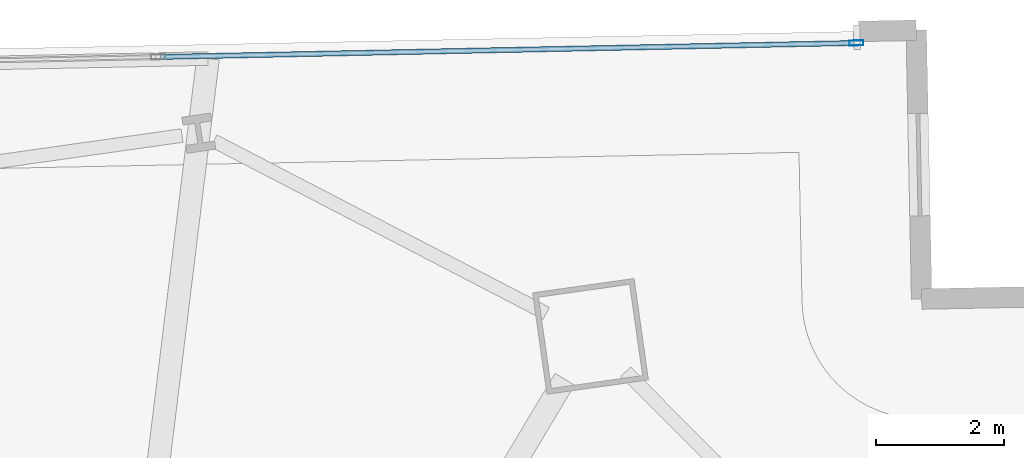
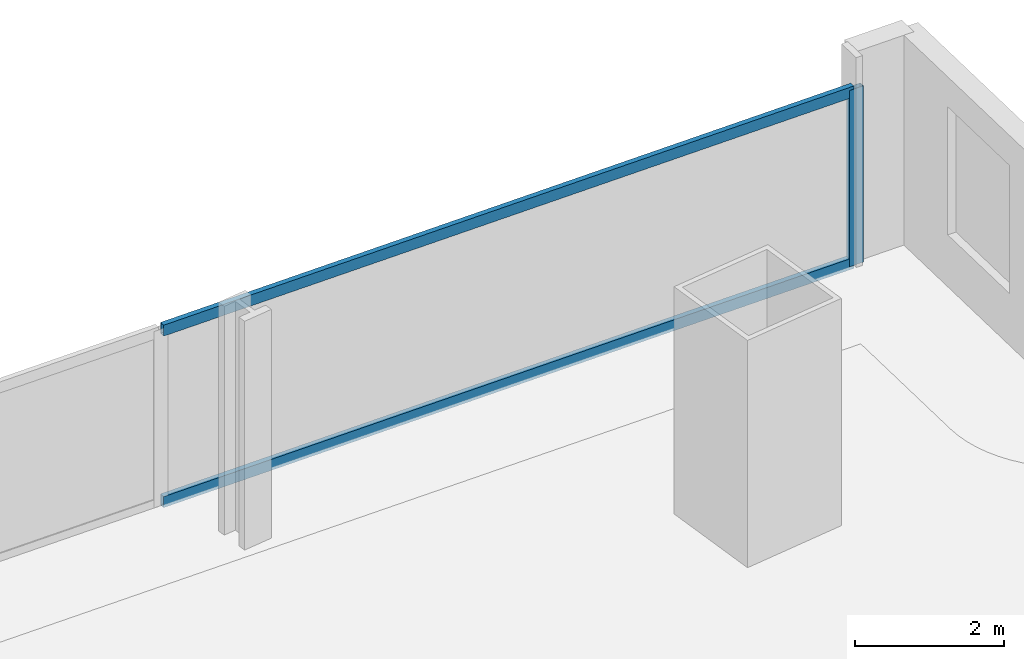
# One storey, part 25 of 35: 3 members, 1 element without a shape of its own.
"""IFC4 building model written with IfcOpenShell, lengths in metres."""

import ifcopenshell
import ifcopenshell.guid

model = None  # the IFC model being written
_history = None  # IfcOwnerHistory: only IFC2X3 demands one
_inside = {}  # id of a spatial element -> (the spatial element, [elements in it])
_under = {}  # id of a project, library or spatial element -> (it, [spatial elements below it])
_declared = {}  # id of a project -> (the project, [libraries it declares])
_typed = {}  # id of a type object -> (the type object, [elements of that type])
_made_of = {}  # id of a material, layer set ... -> (it, [elements and type objects made of it])


def new_model(schema):
    """Start an empty IFC model of exactly this schema.

    Asked for "IFC4X3", IfcOpenShell would pick the latest addendum, in which some entities
    have other attributes; the version numbers below select the first issue.
    IFC2X3 requires an IfcOwnerHistory on every rooted entity: one is made here for all.
    """
    global model, _history
    if schema == "IFC4X3":
        model = ifcopenshell.file(schema_version=(4, 3, 0, 0))
    else:
        model = ifcopenshell.file(schema=schema)
    _inside.clear()
    _under.clear()
    _declared.clear()
    _typed.clear()
    _made_of.clear()
    _history = None
    if model.schema == "IFC2X3":
        org = make("IfcOrganization", Name="unknown")
        user = make(
            "IfcPersonAndOrganization",
            ThePerson=make("IfcPerson", FamilyName="unknown"),
            TheOrganization=org,
        )
        app = make(
            "IfcApplication",
            ApplicationDeveloper=org,
            Version="unknown",
            ApplicationFullName="unknown",
            ApplicationIdentifier="unknown",
        )
        _history = make(
            "IfcOwnerHistory",
            OwningUser=user,
            OwningApplication=app,
            ChangeAction="ADDED",
            CreationDate=0,
        )
    return model


def make(cls, **values):
    """One entity of the class cls with the attributes given. An attribute that is None is left unset."""
    return model.create_entity(
        cls, **{name: value for name, value in values.items() if value is not None}
    )


def rooted(cls, **values):
    """An entity with a GlobalId (a new one), such as an element, a storey or a relation."""
    return make(cls, GlobalId=ifcopenshell.guid.new(), OwnerHistory=_history, **values)


def si_unit(unit_type, name, prefix=None):
    """IfcSIUnit, for example si_unit("LENGTHUNIT", "METRE", prefix="MILLI")."""
    return make("IfcSIUnit", UnitType=unit_type, Prefix=prefix, Name=name)


def assignment(units):
    """IfcUnitAssignment: the units of a project."""
    return None if units is None else make("IfcUnitAssignment", Units=units)


def point(xyz):
    """IfcCartesianPoint."""
    return None if xyz is None else make("IfcCartesianPoint", Coordinates=xyz)


def direction(xyz):
    """IfcDirection."""
    return None if xyz is None else make("IfcDirection", DirectionRatios=xyz)


def frame(location, z_axis=None, x_axis=None):
    """IfcAxis2Placement3D, a coordinate frame: its origin and axes. An axis left out is left unset."""
    return make(
        "IfcAxis2Placement3D",
        Location=point(location),
        Axis=direction(z_axis),
        RefDirection=direction(x_axis),
    )


def frame_2d(location, x_axis=None):
    """IfcAxis2Placement2D, a coordinate frame in the plane: its origin and x axis."""
    return make(
        "IfcAxis2Placement2D", Location=point(location), RefDirection=direction(x_axis)
    )


def origin():
    """The frame at (0, 0, 0) with its axes left unset."""
    return frame((0.0, 0.0, 0.0))


def origin_2d():
    """The frame at (0, 0) in the plane with its x axis left unset."""
    return frame_2d((0.0, 0.0))


def place(relative_to, where):
    """IfcLocalPlacement: puts the frame where relative to a parent placement (None: the world)."""
    return make(
        "IfcLocalPlacement", PlacementRelTo=relative_to, RelativePlacement=where
    )


def context(
    kind, dimensions, precision=None, world=None, true_north=None, identifier=None
):
    """IfcGeometricRepresentationContext, for example the 3D "Model" context."""
    return make(
        "IfcGeometricRepresentationContext",
        ContextIdentifier=identifier,
        ContextType=kind,
        CoordinateSpaceDimension=dimensions,
        Precision=precision,
        WorldCoordinateSystem=world,
        TrueNorth=true_north,
    )


def subcontext(parent, identifier, kind, view, scale=None):
    """IfcGeometricRepresentationSubContext, for example "Body" below "Model"."""
    return make(
        "IfcGeometricRepresentationSubContext",
        ContextIdentifier=identifier,
        ContextType=kind,
        ParentContext=parent,
        TargetScale=scale,
        TargetView=view,
    )


def project(units=None, contexts=None):
    """IfcProject with its units and contexts."""
    return rooted(
        "IfcProject",
        Name="project",
        RepresentationContexts=contexts,
        UnitsInContext=assignment(units),
    )


def spatial(cls, under=None, at=None, **own):
    """A site, building, storey or space (cls), placed at a placement, below another one or the project."""
    s = rooted(cls, ObjectPlacement=at, **own)
    if under is not None:
        _under.setdefault(under.id(), (under, []))[1].append(s)
    return s


def profile(cls, at=None, kind="AREA", **sizes):
    """A parametric profile (cls). Its sizes go by their IFC names, for example OverallWidth=200.0."""
    return make(cls, ProfileType=kind, Position=at, **sizes)


def hollow_rectangle(**sizes):
    """IfcRectangleHollowProfileDef."""
    return profile("IfcRectangleHollowProfileDef", **sizes)


def extrude(swept, where, along, depth):
    """IfcExtrudedAreaSolid: the profile swept, set in the frame where, extruded along a direction by depth."""
    return make(
        "IfcExtrudedAreaSolid",
        SweptArea=swept,
        Position=where,
        ExtrudedDirection=direction(along),
        Depth=depth,
    )


def shape(context_of_items, identifier, shape_type, items):
    """IfcShapeRepresentation: the items that make up one representation, for example the "Body"."""
    return make(
        "IfcShapeRepresentation",
        ContextOfItems=context_of_items,
        RepresentationIdentifier=identifier,
        RepresentationType=shape_type,
        Items=items,
    )


def material(Name=None, Category=None):
    """IfcMaterial."""
    return make("IfcMaterial", Name=Name, Category=Category)


def material_profile(
    of_material, cross_section, Name=None, Category=None, Priority=None
):
    """IfcMaterialProfile: a cross section and its material."""
    return make(
        "IfcMaterialProfile",
        Name=Name,
        Material=of_material,
        Profile=cross_section,
        Priority=Priority,
        Category=Category,
    )


def profile_set(profiles, Name=None, composite=None):
    """IfcMaterialProfileSet."""
    return make(
        "IfcMaterialProfileSet",
        Name=Name,
        MaterialProfiles=profiles,
        CompositeProfile=composite,
    )


def made_of(thing, what):
    """Note that an element or type object is made of a material, layer set ...; save() writes the relation."""
    if what is not None:
        _made_of.setdefault(what.id(), (what, []))[1].append(thing)
    return thing


def type_object(cls, material=None, **own):
    """A type object (cls), such as IfcWallType, which elements share."""
    return made_of(rooted(cls, **own), material)


def element(
    cls,
    number,
    at=None,
    inside=None,
    cuts=None,
    type_object=None,
    material=None,
    context=None,
    identifier="Body",
    shape_type=None,
    held_by="IfcProductDefinitionShape",
    body=None,
    shapes=None,
    **own,
):
    """One element of the class cls, such as IfcWall. Its Tag is "e" and its number.

    at: its placement. inside: the storey or other place that contains it. cuts: it is an
    opening in that element (IfcRelVoidsElement). A single representation is given by context,
    identifier, shape_type and body (its items); several are given by shapes. held_by: the class
    of the entity that holds the representations. save() writes the other relations.
    """
    e = rooted(cls, Tag="e%d" % number, ObjectPlacement=at, **own)
    if body is not None:
        shapes = [shape(context, identifier, shape_type, body)]
    if shapes is not None:
        e.Representation = make(held_by, Representations=shapes)
    if inside is not None:
        _inside.setdefault(inside.id(), (inside, []))[1].append(e)
    if cuts is not None:
        rooted(
            "IfcRelVoidsElement", RelatingBuildingElement=cuts, RelatedOpeningElement=e
        )
    if type_object is not None:
        _typed.setdefault(type_object.id(), (type_object, []))[1].append(e)
    return made_of(e, material)


def aggregate(whole, parts):
    """IfcRelAggregates: a whole, such as a stair, and the parts it consists of."""
    return rooted("IfcRelAggregates", RelatingObject=whole, RelatedObjects=parts)


def save(model, path):
    """Write the relations noted so far, then the file.

    IfcRelAggregates (storeys below a building ...), IfcRelContainedInSpatialStructure (elements
    in a storey), IfcRelDefinesByType, IfcRelAssociatesMaterial and IfcRelDeclares: one each for
    every whole, place, type object, material and project.
    """
    for whole, parts in _under.values():
        aggregate(whole, parts)
    for where, things in _inside.values():
        rooted(
            "IfcRelContainedInSpatialStructure",
            RelatedElements=things,
            RelatingStructure=where,
        )
    for kind, things in _typed.values():
        rooted("IfcRelDefinesByType", RelatedObjects=things, RelatingType=kind)
    for what, things in _made_of.values():
        rooted("IfcRelAssociatesMaterial", RelatedObjects=things, RelatingMaterial=what)
    for by, libraries in _declared.values():
        rooted("IfcRelDeclares", RelatingContext=by, RelatedDefinitions=libraries)
    model.write(path)


model = new_model("IFC4")

# Units and contexts
model_context = context("Model", 3, precision=1e-05, world=origin(), true_north=direction((0.0, 1.0)))
body_context = subcontext(model_context, "Body", "Model", "MODEL_VIEW")
ifc_project = project(units=[si_unit("LENGTHUNIT", "METRE"), si_unit("AREAUNIT", "SQUARE_METRE"), si_unit("VOLUMEUNIT", "CUBIC_METRE"), si_unit("PLANEANGLEUNIT", "RADIAN"), si_unit("MASSUNIT", "GRAM", prefix="KILO")], contexts=[model_context])

# Site, building, storey
site_placement = place(None, origin())
site = spatial("IfcSite", under=ifc_project, at=site_placement, CompositionType="ELEMENT")
building_placement = place(site_placement, origin())
building = spatial("IfcBuilding", under=site, at=building_placement, Name="Haldenkirk Collegiate Tower", CompositionType="ELEMENT")
storey_placement = place(building_placement, frame((0.0, 0.0, 32.699951171875)))
storey = spatial("IfcBuildingStorey", under=building, at=storey_placement, Name="L06", CompositionType="ELEMENT", Elevation=32.699951171875)

# Curtain wall, members
ifc_material = material(Name="Anodised architectural bronze aluminium", Category="aluminium")
curtain_wall_type = type_object("IfcCurtainWallType", Name="CW-SYS1-CONVEX-LOW", PredefinedType="USERDEFINED", material=ifc_material)
curtain_wall_placement = place(storey_placement, origin())
curtain_wall = element("IfcCurtainWall", 1, at=curtain_wall_placement, inside=storey, type_object=curtain_wall_type, Name="L06 Lower tower convex bronze-framed unitised curtain wall", ObjectType="UNITISED CURTAIN WALL", PredefinedType="USERDEFINED")
ifc_material_profile_1 = material_profile(ifc_material, hollow_rectangle(XDim=0.080078125, YDim=0.219970703125, WallThickness=0.0048828125, at=origin_2d()), Name="CW-MUL-1A")
ifc_profile_set_1 = profile_set([ifc_material_profile_1], Name="Anodised architectural bronze aluminium")
member_type_1 = type_object("IfcMemberType", Name="CW-MUL-1A", PredefinedType="MULLION", material=ifc_profile_set_1)
member_1_placement = place(storey_placement, frame((57.33740234375, 52.25341796875, 0.0), z_axis=(0.0, 0.0, 1.0), x_axis=(-0.020068483542, 0.999798607705, 0.0)))
member_1 = element("IfcMember", 2, at=member_1_placement, type_object=member_type_1, Name="CW-1A mullion 5", PredefinedType="MULLION", context=body_context, shape_type="SweptSolid", body=[
    extrude(hollow_rectangle(XDim=0.080078125, YDim=0.219970703125, WallThickness=0.0048828125, at=origin_2d()), origin(), (0.0, 0.0, 1.0), 2.89111328125),
])
ifc_material_profile_2 = material_profile(ifc_material, hollow_rectangle(XDim=0.080078125, YDim=0.179931640625, WallThickness=0.0048828125, at=origin_2d()), Name="CW-TRN-1A")
ifc_profile_set_2 = profile_set([ifc_material_profile_2], Name="Anodised architectural bronze aluminium")
member_type_2 = type_object("IfcMemberType", Name="CW-TRN-1A", PredefinedType="USERDEFINED", material=ifc_profile_set_2)
member_2_placement = place(storey_placement, frame((46.469482421875, 52.035400390625, 0.0400390625), z_axis=(0.999798714707, 0.020063152039, 0.0), x_axis=(-0.020063152039, 0.999798714707, 0.0)))
member_2 = element("IfcMember", 3, at=member_2_placement, type_object=member_type_2, Name="CW-1A transom 4.1", ObjectType="TRANSOM", PredefinedType="USERDEFINED", context=body_context, shape_type="SweptSolid", body=[
    extrude(hollow_rectangle(XDim=0.080078125, YDim=0.179931640625, WallThickness=0.0048828125, at=origin_2d()), origin(), (0.0, 0.0, 1.0), 10.830078125),
])
member_3_placement = place(storey_placement, frame((46.469482421875, 52.035400390625, 2.85107421875), z_axis=(0.999798714707, 0.020063152039, 0.0), x_axis=(-0.020063152039, 0.999798714707, 0.0)))
member_3 = element("IfcMember", 4, at=member_3_placement, type_object=member_type_2, Name="CW-1A transom 4.2", ObjectType="TRANSOM", PredefinedType="USERDEFINED", context=body_context, shape_type="SweptSolid", body=[
    extrude(hollow_rectangle(XDim=0.080078125, YDim=0.179931640625, WallThickness=0.0048828125, at=origin_2d()), origin(), (0.0, 0.0, 1.0), 10.830078125),
])
aggregate(curtain_wall, [member_1, member_2, member_3])

save(model, "model.ifc")
